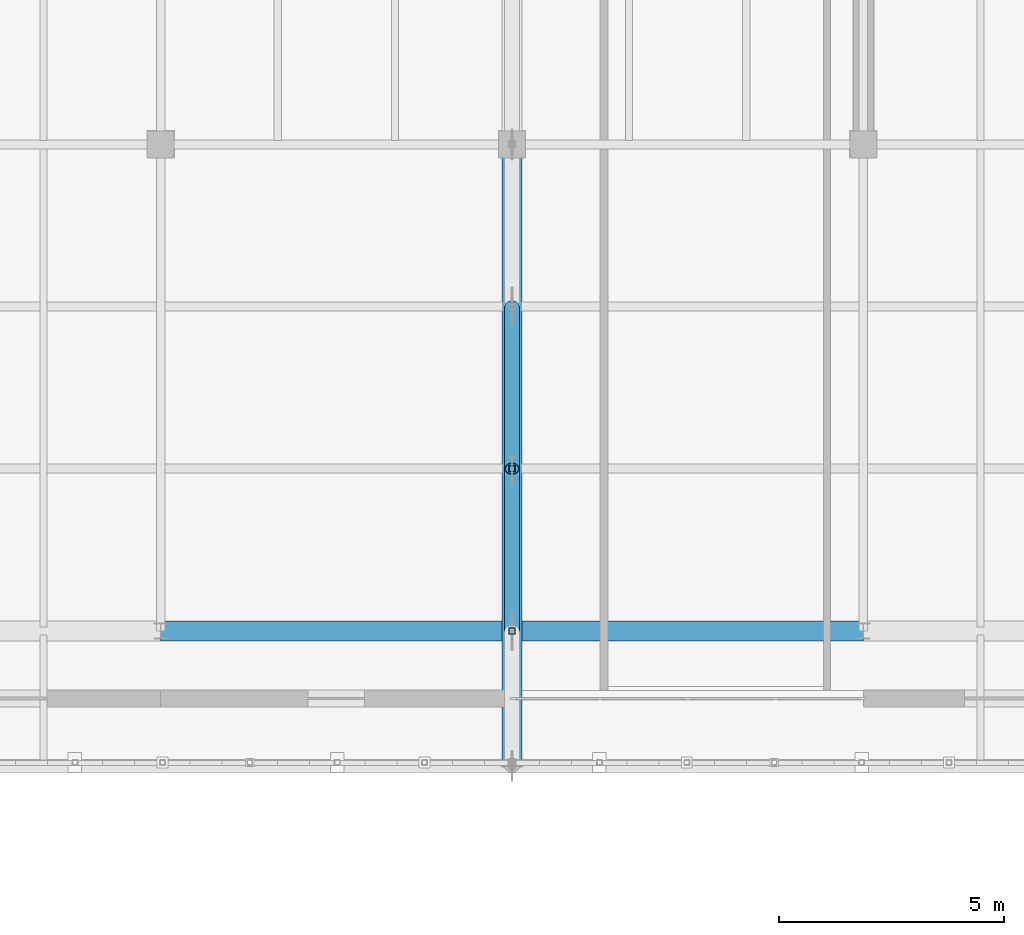
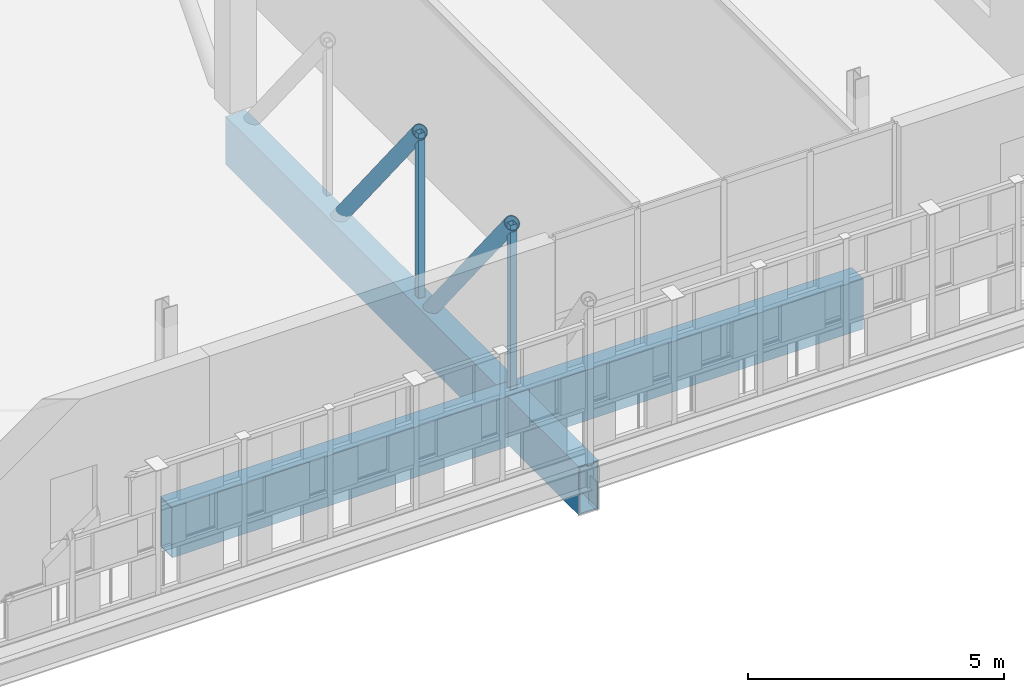
# One storey, part 37 of 119: 4 members, 2 beams.
"""IFC4 building model written with IfcOpenShell, lengths in metres."""

from ifc_helpers import new_model, si_unit, direction, frame, origin, origin_2d, place, context, subcontext, project, spatial, hollow_rectangle, hollow_circle, extrude, material, material_profile, profile_set, type_object, element, save


model = new_model("IFC4")

# Units and contexts
model_context = context("Model", 3, precision=1e-05, world=origin(), true_north=direction((0.0, 1.0)))
body_context = subcontext(model_context, "Body", "Model", "MODEL_VIEW")
ifc_project = project(units=[si_unit("LENGTHUNIT", "METRE"), si_unit("AREAUNIT", "SQUARE_METRE"), si_unit("VOLUMEUNIT", "CUBIC_METRE"), si_unit("PLANEANGLEUNIT", "RADIAN"), si_unit("MASSUNIT", "GRAM", prefix="KILO")], contexts=[model_context])

# Site, building, storey
site_placement = place(None, origin())
site = spatial("IfcSite", under=ifc_project, at=site_placement, CompositionType="ELEMENT")
building_placement = place(site_placement, origin())
building = spatial("IfcBuilding", under=site, at=building_placement, Name="Celorna Specialist Clinic", CompositionType="ELEMENT")
storey_placement = place(building_placement, frame((0.0, 0.0, 9.60009765625)))
storey = spatial("IfcBuildingStorey", under=building, at=storey_placement, Name="L02", CompositionType="ELEMENT", Elevation=9.60009765625)

# Beams
ifc_material = material(Name="Steel S355", Category="steel")
ifc_material_profile_1 = material_profile(ifc_material, hollow_rectangle(XDim=0.449951171875, YDim=1.14990234375, WallThickness=0.031982421875, at=origin_2d()), Name="BOX 450x1150x32")
ifc_profile_set_1 = profile_set([ifc_material_profile_1], Name="Steel S355")
beam_type_1 = type_object("IfcBeamType", Name="BM-01", PredefinedType="BEAM", material=ifc_profile_set_1)
beam_1_placement = place(storey_placement, frame((70.199951171875, 5.699951171875, -0.835205078125), z_axis=(0.0, 1.0, 0.0), x_axis=(-1.0, 0.0, 0.0)))
element("IfcBeam", 1, at=beam_1_placement, inside=storey, type_object=beam_type_1, Name="Cantilever Pratt truss chord WP-034-WP-035", PredefinedType="BEAM", context=body_context, shape_type="SweptSolid", body=[
    extrude(hollow_rectangle(XDim=0.449951171875, YDim=1.14990234375, WallThickness=0.031982421875, at=origin_2d()), origin(), (0.0, 0.0, 1.0), 13.800048828125),
])
ifc_material_profile_2 = material_profile(ifc_material, hollow_rectangle(XDim=0.449951171875, YDim=1.199951171875, WallThickness=0.031982421875, at=origin_2d()), Name="BOX 450x1200x32")
ifc_profile_set_2 = profile_set([ifc_material_profile_2], Name="Steel S355")
beam_type_2 = type_object("IfcBeamType", Name="BM-02", PredefinedType="BEAM", material=ifc_profile_set_2)
beam_2_placement = place(storey_placement, frame((62.39990234375, 8.699951171875, -0.860107421875), z_axis=(1.0, 0.0, 0.0), x_axis=(0.0, 1.0, 0.0)))
element("IfcBeam", 2, at=beam_2_placement, inside=storey, type_object=beam_type_2, Name="Portico transfer box girder BM-02 #12", PredefinedType="BEAM", context=body_context, shape_type="SweptSolid", body=[
    extrude(hollow_rectangle(XDim=0.449951171875, YDim=1.199951171875, WallThickness=0.031982421875, at=origin_2d()), origin(), (0.0, 0.0, 1.0), 15.60009765625),
])

# Members
ifc_material_profile_3 = material_profile(ifc_material, hollow_circle(Radius=0.161865234375, WallThickness=0.01611328125, at=origin_2d()), Name="CHS 323.9x16")
ifc_profile_set_3 = profile_set([ifc_material_profile_3], Name="Steel S355")
member_type_1 = type_object("IfcMemberType", Name="MB-05", PredefinedType="BRACE", material=ifc_profile_set_3)
member_1_placement = place(storey_placement, frame((70.199951171875, 8.699951171875, 3.664794921875), z_axis=(0.0, 0.624705380279, -0.780860543151), x_axis=(-1.0, 0.0, 0.0)))
element("IfcMember", 3, at=member_1_placement, inside=storey, type_object=member_type_1, Name="Cantilever Pratt truss web diagonal WP-050-WP-051", PredefinedType="BRACE", context=body_context, shape_type="SweptSolid", body=[
    extrude(hollow_circle(Radius=0.161865234375, WallThickness=0.01611328125, at=origin_2d()), origin(), (0.0, 0.0, 1.0), 5.762939453125),
])
member_2_placement = place(storey_placement, frame((70.199951171875, 12.300048828125, 3.664794921875), z_axis=(0.0, 0.624679547852, -0.780881208953), x_axis=(-1.0, 0.0, 0.0)))
element("IfcMember", 4, at=member_2_placement, inside=storey, type_object=member_type_1, Name="Cantilever Pratt truss web diagonal WP-052-WP-053", PredefinedType="BRACE", context=body_context, shape_type="SweptSolid", body=[
    extrude(hollow_circle(Radius=0.161865234375, WallThickness=0.01611328125, at=origin_2d()), origin(), (0.0, 0.0, 1.0), 5.7626953125),
])
ifc_material_profile_4 = material_profile(ifc_material, hollow_rectangle(XDim=0.139892578125, YDim=0.139892578125, WallThickness=0.008056640625, at=origin_2d()), Name="SHS 140x140x8")
ifc_profile_set_4 = profile_set([ifc_material_profile_4], Name="Steel S355")
member_type_2 = type_object("IfcMemberType", Name="MB-10", PredefinedType="CHORD", material=ifc_profile_set_4)
for number, where, z_axis, x_axis, name in (
    (5, (70.199951171875, 8.699951171875, -0.835205078125), (0.0, 0.0, 1.0), (1.0, 0.0, 0.0), "Cantilever Pratt truss vertical post WP-049-WP-050"),
    (6, (70.199951171875, 12.300048828125, -0.835205078125), (0.0, 0.0, 1.0), (1.0, 0.0, 0.0), "Cantilever Pratt truss vertical post WP-051-WP-052"),
):
    element("IfcMember", number, at=place(storey_placement, frame(where, z_axis=z_axis, x_axis=x_axis)), inside=storey, type_object=member_type_2, Name=name, PredefinedType="CHORD", context=body_context, shape_type="SweptSolid", body=[
        extrude(hollow_rectangle(XDim=0.139892578125, YDim=0.139892578125, WallThickness=0.008056640625, at=origin_2d()), origin(), (0.0, 0.0, 1.0), 4.5),
    ])

save(model, "model.ifc")
